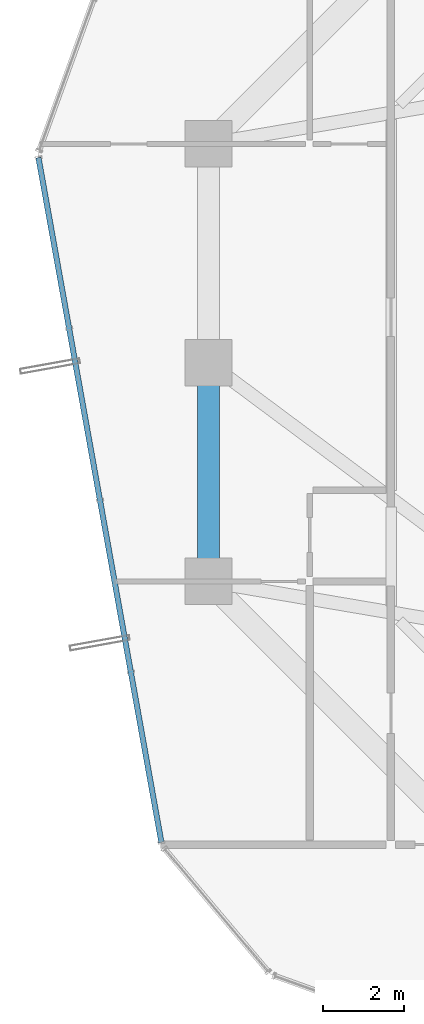
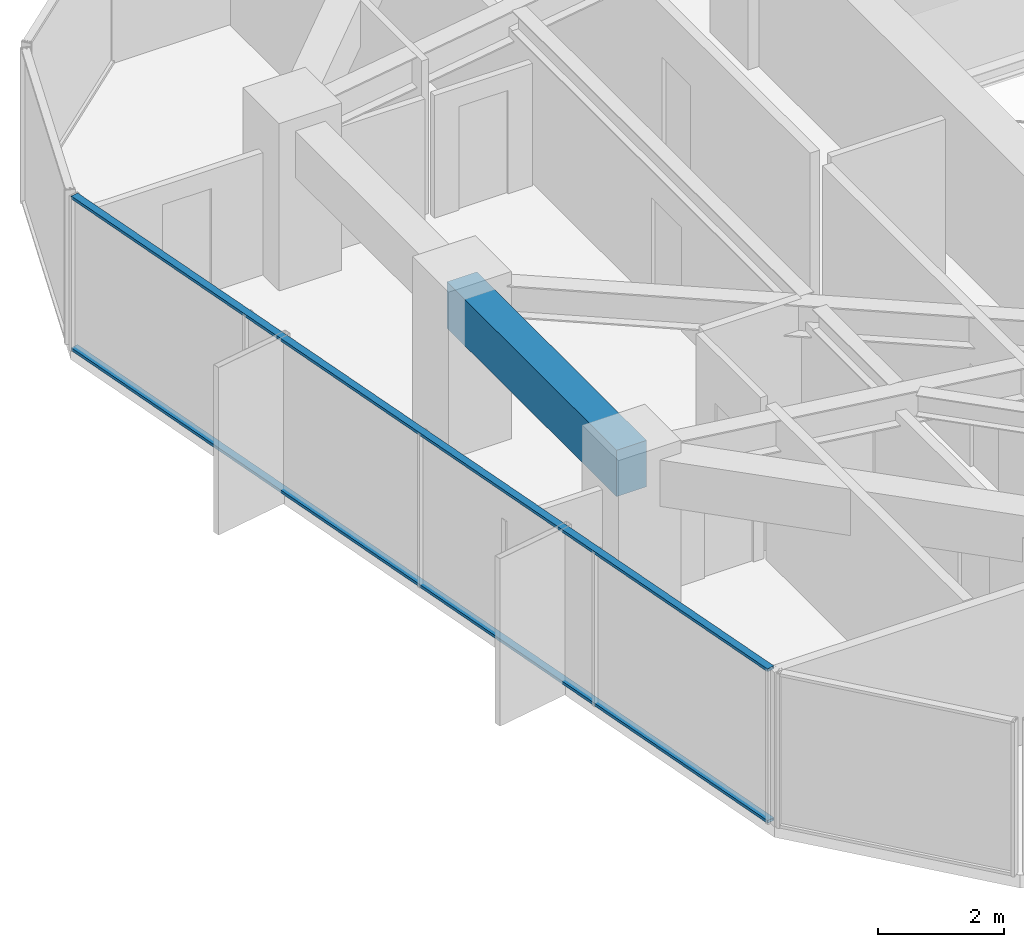
# One storey, part 10 of 36: 2 members, 1 beam, 1 element without a shape of its own.
"""IFC4 building model written with IfcOpenShell, lengths in metres."""

from ifc_helpers import new_model, si_unit, direction, frame, origin, origin_2d, place, context, subcontext, project, spatial, rectangle, hollow_rectangle, extrude, source, transform, mapped, material, layer, layer_set, material_profile, profile_set, type_object, element, aggregate, save


model = new_model("IFC4")

# Units and contexts
model_context = context("Model", 3, precision=1e-05, world=origin(), true_north=direction((0.0, 1.0)))
body_context = subcontext(model_context, "Body", "Model", "MODEL_VIEW")
ifc_project = project(units=[si_unit("LENGTHUNIT", "METRE"), si_unit("AREAUNIT", "SQUARE_METRE"), si_unit("VOLUMEUNIT", "CUBIC_METRE"), si_unit("PLANEANGLEUNIT", "RADIAN"), si_unit("MASSUNIT", "GRAM", prefix="KILO")], contexts=[model_context])

# Site, building, storey
site_placement = place(None, origin())
site = spatial("IfcSite", under=ifc_project, at=site_placement, CompositionType="ELEMENT")
building_placement = place(site_placement, origin())
building = spatial("IfcBuilding", under=site, at=building_placement, Name="Veraguas Prism Commons", CompositionType="ELEMENT")
storey_placement = place(building_placement, frame((0.0, 0.0, 163.050048828125)))
storey = spatial("IfcBuildingStorey", under=building, at=storey_placement, Name="L46", CompositionType="ELEMENT", Elevation=163.050048828125)

# Beam
ifc_material_1 = material(Name="Concrete C50/60", Category="concrete")
ifc_material_profile_1 = material_profile(ifc_material_1, rectangle(XDim=0.550048828125, YDim=0.89990234375, at=origin_2d()), Name="RC550X900")
ifc_profile_set_1 = profile_set([ifc_material_profile_1], Name="Concrete C50/60")
beam_type = type_object("IfcBeamType", Name="Perimeter Spandrel Lower RC 550x900", PredefinedType="SPANDREL", material=ifc_profile_set_1)
beam_placement = place(storey_placement, frame((7.800048828125, 24.0, 2.550048828125), z_axis=(0.0, -1.0, 0.0), x_axis=(1.0, 0.0, 0.0)))
element("IfcBeam", 1, at=beam_placement, inside=storey, type_object=beam_type, Name="Perimeter Spandrel Beam L46-SP08", PredefinedType="SPANDREL", context=body_context, shape_type="SweptSolid", body=[
    extrude(rectangle(XDim=0.550048828125, YDim=0.89990234375, at=origin_2d()), origin(), (0.0, 0.0, 1.0), 5.39990234375),
])

# Curtain wall, members
ifc_material_2 = material(Name="Anodised aluminium EN AW-6063 T6", Category="aluminium")
ifc_layer = layer(ifc_material_2, 0.169921875, Name="Unitised Flush Curtain Wall Zone 2", Category="aluminium")
ifc_layer_set = layer_set([ifc_layer], Name="Anodised aluminium EN AW-6063 T6")
curtain_wall_type = type_object("IfcCurtainWallType", Name="Unitised Flush Curtain Wall Zone 2", PredefinedType="NOTDEFINED", material=ifc_layer_set)
curtain_wall_placement = place(storey_placement, origin())
curtain_wall = element("IfcCurtainWall", 2, at=curtain_wall_placement, inside=storey, type_object=curtain_wall_type, Name="Tower Facade Curtain Wall L46-F3", PredefinedType="NOTDEFINED")
ifc_material_profile_2 = material_profile(ifc_material_2, hollow_rectangle(XDim=0.054931640625, YDim=0.135009765625, WallThickness=0.0029296875, at=origin_2d()), Name="AL55X135X3")
ifc_profile_set_2 = profile_set([ifc_material_profile_2], Name="Anodised aluminium EN AW-6063 T6")
member_type = type_object("IfcMemberType", Name="Curtain Wall Transom Standard AL 55x135x3", PredefinedType="USERDEFINED", material=ifc_profile_set_2)
shared_shape = source(origin(), body_context, "Body", "SweptSolid", [
    extrude(hollow_rectangle(XDim=0.054931640625, YDim=0.135009765625, WallThickness=0.0029296875, at=origin_2d()), origin(), (0.0, 0.0, 1.0), 17.17431640625),
])
member_1_placement = place(storey_placement, frame((3.601806640625, 29.061767578125, 0.02734375), z_axis=(0.176739630066, -0.984257640643, 0.0), x_axis=(0.0, 0.0, 1.0)))
member_1 = element("IfcMember", 3, at=member_1_placement, type_object=member_type, Name="CW-Z2 Transom 1", ObjectType="TRANSOM", PredefinedType="USERDEFINED", context=body_context, shape_type="MappedRepresentation", body=[
    mapped(shared_shape, transform((0.0, 0.0, 0.0), scale=1.0)),
])
member_2_placement = place(storey_placement, frame((3.601806640625, 29.061767578125, 2.972412109375), z_axis=(0.176739630066, -0.984257640643, 0.0), x_axis=(0.0, 0.0, 1.0)))
member_2 = element("IfcMember", 4, at=member_2_placement, type_object=member_type, Name="CW-Z2 Transom 2", ObjectType="TRANSOM", PredefinedType="USERDEFINED", context=body_context, shape_type="MappedRepresentation", body=[
    mapped(shared_shape, transform((0.0, 0.0, 0.0), scale=1.0)),
])
aggregate(curtain_wall, [member_1, member_2])

save(model, "model.ifc")
